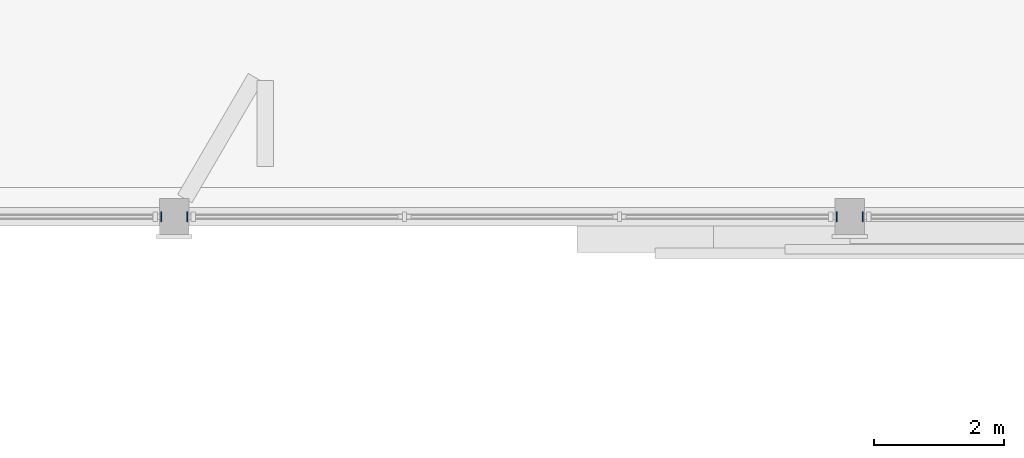
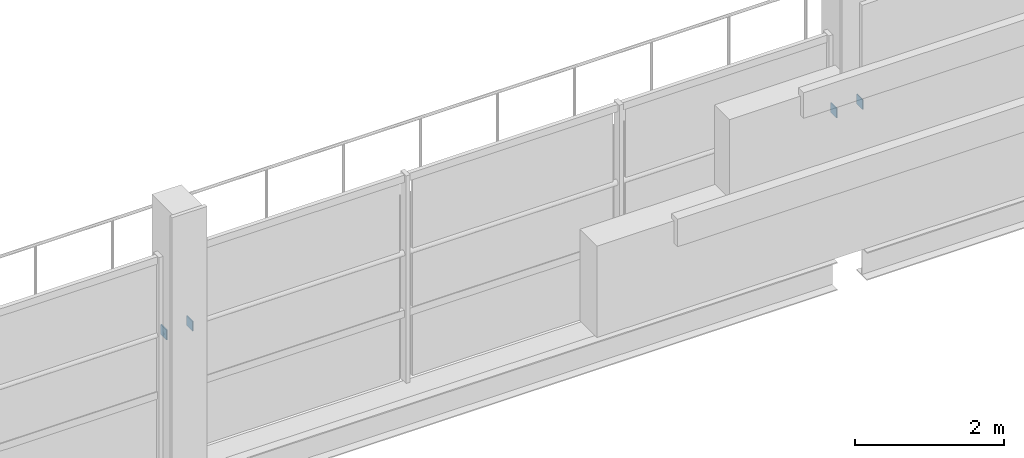
# One storey, part 40 of 85: 4 plates.
"""IFC4 building model written with IfcOpenShell, lengths in metres."""

from ifc_helpers import new_model, si_unit, derived_unit, direction, frame, origin, origin_2d, place, context, subcontext, project, spatial, rectangle, extrude, material, layer, layer_set, type_object, element, save


model = new_model("IFC4")

# Units and contexts
model_context = context("Model", 3, precision=1e-05, world=origin(), true_north=direction((0.0, 1.0)))
body_context = subcontext(model_context, "Body", "Model", "MODEL_VIEW")
ifc_project = project(units=[si_unit("LENGTHUNIT", "METRE"), si_unit("AREAUNIT", "SQUARE_METRE"), si_unit("VOLUMEUNIT", "CUBIC_METRE"), si_unit("PLANEANGLEUNIT", "RADIAN"), si_unit("MASSUNIT", "GRAM", prefix="KILO"), derived_unit("THERMALTRANSMITTANCEUNIT", [(si_unit("POWERUNIT", "WATT"), 1), (si_unit("LENGTHUNIT", "METRE"), -2), (si_unit("THERMODYNAMICTEMPERATUREUNIT", "KELVIN"), -1)])], contexts=[model_context])

# Site, building, storey
site_placement = place(None, origin())
site = spatial("IfcSite", under=ifc_project, at=site_placement, CompositionType="ELEMENT")
building_placement = place(site_placement, origin())
building = spatial("IfcBuilding", under=site, at=building_placement, Name="Braskholm Square Health Centre", CompositionType="ELEMENT")
storey_placement = place(building_placement, frame((0.0, 0.0, 9.300048828125)))
storey = spatial("IfcBuildingStorey", under=building, at=storey_placement, Name="L03", CompositionType="ELEMENT", Elevation=9.300048828125)

# Plates
ifc_material = material(Name="Steel ASTM A572 Grade 50", Category="steel")
ifc_layer = layer(ifc_material, 0.01611328125)
ifc_layer_set = layer_set([ifc_layer], Name="Steel ASTM A572 Grade 50")
plate_type = type_object("IfcPlateType", Name="CapPlateHSS152TN8", PredefinedType="USERDEFINED", material=ifc_layer_set)
for number, where, z_axis, x_axis, name in (
    (1, (68.197998046875, 87.199951171875, 2.02001953125), (0.0, 0.0, 1.0), (1.0, 0.0, 0.0), "Hollow section end cap plate 0286"),
    (2, (68.60205078125, 87.199951171875, 2.02001953125), (0.0, 0.0, 1.0), (1.0, 0.0, 0.0), "Hollow section end cap plate 0293"),
    (3, (78.597900390625, 87.199951171875, 2.02001953125), (0.0, 0.0, 1.0), (1.0, 0.0, 0.0), "Hollow section end cap plate 0294"),
    (4, (79.001953125, 87.199951171875, 2.02001953125), (0.0, 0.0, 1.0), (1.0, 0.0, 0.0), "Hollow section end cap plate 0301"),
):
    element("IfcPlate", number, at=place(storey_placement, frame(where, z_axis=z_axis, x_axis=x_axis)), inside=storey, type_object=plate_type, Name=name, ObjectType="CAP_PLATE", PredefinedType="USERDEFINED", context=body_context, shape_type="SweptSolid", body=[
        extrude(rectangle(XDim=0.01611328125, YDim=0.159912109375, at=origin_2d()), origin(), (0.0, 0.0, 1.0), 0.159912109375),
    ])

save(model, "model.ifc")
